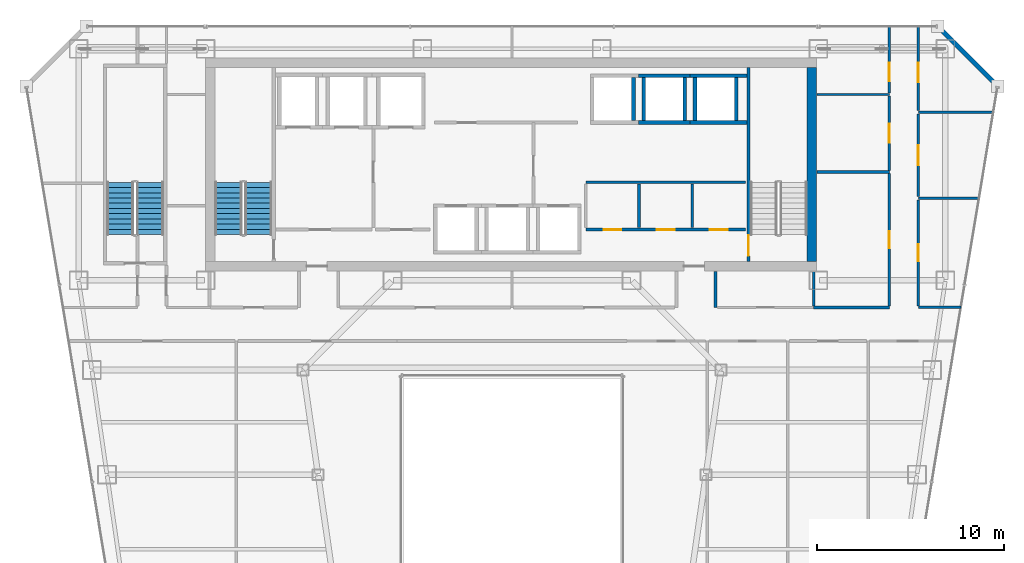
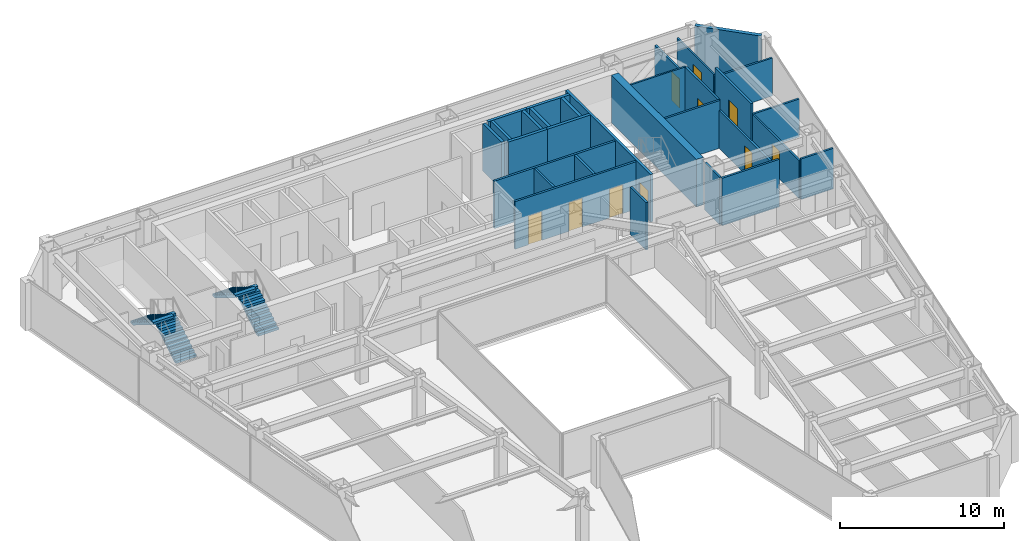
# One storey, part 33 of 37: 30 walls, 10 doors, 4 stair flights, 10 openings, 2 elements without a shape of their own.
"""IFC4 building model written with IfcOpenShell, lengths in metres."""

from ifc_helpers import new_model, si_unit, direction, frame, frame_2d, origin, place, context, subcontext, project, spatial, polyline, rectangle, outline, extrude, material, layer, layer_set, type_object, element, fill, aggregate, save


model = new_model("IFC4")

# Units and contexts
model_context = context("Model", 3, precision=1e-05, world=origin(), true_north=direction((0.0, 1.0)))
body_context = subcontext(model_context, "Body", "Model", "MODEL_VIEW")
ifc_project = project(units=[si_unit("LENGTHUNIT", "METRE"), si_unit("AREAUNIT", "SQUARE_METRE"), si_unit("VOLUMEUNIT", "CUBIC_METRE"), si_unit("PLANEANGLEUNIT", "RADIAN"), si_unit("MASSUNIT", "GRAM", prefix="KILO")], contexts=[model_context])

# Site, building, storey
site_placement = place(None, origin())
site = spatial("IfcSite", under=ifc_project, at=site_placement, CompositionType="ELEMENT")
building_placement = place(site_placement, origin())
building = spatial("IfcBuilding", under=site, at=building_placement, Name="Saevonmaru Cultural Tower", CompositionType="ELEMENT")
storey_placement = place(building_placement, frame((0.0, 0.0, 144.800048828125)))
storey = spatial("IfcBuildingStorey", under=building, at=storey_placement, Name="L31", CompositionType="ELEMENT", Elevation=144.800048828125)

# Wall
ifc_material_1 = material(Name="Concrete C60/75", Category="concrete")
ifc_layer_1 = layer(ifc_material_1, 0.5, Name="Concrete C60/75")
ifc_layer_set_1 = layer_set([ifc_layer_1], Name="Concrete C60/75")
wall_type_1 = type_object("IfcWallType", Name="WL-CORE-500", PredefinedType="SHEAR", material=ifc_layer_set_1)
wall_1_placement = place(storey_placement, frame((46.050048828125, 43.39990234375, 0.0), z_axis=(0.0, 0.0, 1.0), x_axis=(0.0, 1.0, 0.0)))
element("IfcWall", 1, at=wall_1_placement, inside=storey, type_object=wall_type_1, Name="L31 Tower RC core shear wall E", PredefinedType="SHEAR", context=body_context, shape_type="SweptSolid", body=[
    extrude(rectangle(XDim=10.400146484375, YDim=0.5, at=frame_2d((5.2001953125, 0.0))), origin(), (0.0, 0.0, 1.0), 3.550048828125),
])

# Wall, openings, doors
ifc_material_2 = material(Name="Gypsum Fireboard Partition", Category="gypsum")
ifc_layer_2 = layer(ifc_material_2, 0.14990234375, Name="Gypsum Fireboard Partition")
ifc_layer_set_2 = layer_set([ifc_layer_2], Name="Gypsum Fireboard Partition")
wall_type_2 = type_object("IfcWallType", Name="WL-CORE-PART-150", PredefinedType="PARTITIONING", material=ifc_layer_set_2)
wall_2_placement = place(storey_placement, frame((33.949951171875, 45.1201171875, 0.0), z_axis=(0.0, 0.0, 1.0), x_axis=(1.0, 0.0, 0.0)))
wall_2 = element("IfcWall", 2, at=wall_2_placement, inside=storey, type_object=wall_type_2, Name="L31 Core Utility South Wall", PredefinedType="PARTITIONING", context=body_context, shape_type="SweptSolid", body=[
    extrude(rectangle(XDim=8.550048828125, YDim=0.14990234375, at=frame_2d((4.27490234375, 0.0))), origin(), (0.0, 0.0, 1.0), 3.550048828125),
])
opening_1_placement = place(wall_2_placement, frame((0.949951171875, 0.0, 0.0)))
opening_1 = element("IfcOpeningElement", 3, at=opening_1_placement, cuts=wall_2, Name="Opening FD-4", PredefinedType="OPENING", context=body_context, shape_type="SweptSolid", body=[
    extrude(rectangle(XDim=0.949951171875, YDim=2.14990234375, at=frame_2d((0.47509765625, 1.074951171875))), frame((0.0, 0.0849609375, 0.0), z_axis=(0.0, -1.0, 0.0), x_axis=(1.0, 0.0, 0.0)), (0.0, 0.0, 1.0), 0.169921875),
])
opening_2_placement = place(wall_2_placement, frame((3.800048828125, 0.0, 0.0)))
opening_2 = element("IfcOpeningElement", 4, at=opening_2_placement, cuts=wall_2, Name="Opening FD-4", PredefinedType="OPENING", context=body_context, shape_type="SweptSolid", body=[
    extrude(rectangle(XDim=0.949951171875, YDim=2.14990234375, at=frame_2d((0.47509765625, 1.074951171875))), frame((0.0, 0.0849609375, 0.0), z_axis=(0.0, -1.0, 0.0), x_axis=(1.0, 0.0, 0.0)), (0.0, 0.0, 1.0), 0.169921875),
])
opening_3_placement = place(wall_2_placement, frame((6.64990234375, 0.0, 0.0)))
opening_3 = element("IfcOpeningElement", 5, at=opening_3_placement, cuts=wall_2, Name="Opening FD-4", PredefinedType="OPENING", context=body_context, shape_type="SweptSolid", body=[
    extrude(rectangle(XDim=0.949951171875, YDim=2.14990234375, at=frame_2d((0.47509765625, 1.074951171875))), frame((0.0, 0.0849609375, 0.0), z_axis=(0.0, -1.0, 0.0), x_axis=(1.0, 0.0, 0.0)), (0.0, 0.0, 1.0), 0.169921875),
])
ifc_material_3 = material(Name="Satin Bronze Anodised Aluminium", Category="aluminium")
door_type_1 = type_object("IfcDoorType", Name="DR-FD60-950", OperationType="SINGLE_SWING_LEFT", PredefinedType="DOOR", material=ifc_material_3)
door_1_placement = place(opening_1_placement, origin())
door_1 = element("IfcDoor", 6, at=door_1_placement, inside=storey, type_object=door_type_1, Name="L31 Meter Plant Door", OperationType="SINGLE_SWING_LEFT", OverallHeight=2.14990234375, OverallWidth=0.949951171875, PredefinedType="DOOR", context=body_context, shape_type="SweptSolid", body=[
    extrude(rectangle(XDim=0.949951171875, YDim=2.14990234375, at=frame_2d((0.47509765625, 1.074951171875))), frame((0.0, 0.02490234375, 0.0), z_axis=(0.0, -1.0, 0.0), x_axis=(1.0, 0.0, 0.0)), (0.0, 0.0, 1.0), 0.050048828125),
])
fill(opening_1, door_1)
door_2_placement = place(opening_2_placement, origin())
door_2 = element("IfcDoor", 7, at=door_2_placement, inside=storey, type_object=door_type_1, Name="L31 AV Rack Plant Door", OperationType="SINGLE_SWING_LEFT", OverallHeight=2.14990234375, OverallWidth=0.949951171875, PredefinedType="DOOR", context=body_context, shape_type="SweptSolid", body=[
    extrude(rectangle(XDim=0.949951171875, YDim=2.14990234375, at=frame_2d((0.47509765625, 1.074951171875))), frame((0.0, 0.02490234375, 0.0), z_axis=(0.0, -1.0, 0.0), x_axis=(1.0, 0.0, 0.0)), (0.0, 0.0, 1.0), 0.050048828125),
])
fill(opening_2, door_2)
door_3_placement = place(opening_3_placement, origin())
door_3 = element("IfcDoor", 8, at=door_3_placement, inside=storey, type_object=door_type_1, Name="L31 Archive Supply Storage Door", OperationType="SINGLE_SWING_LEFT", OverallHeight=2.14990234375, OverallWidth=0.949951171875, PredefinedType="DOOR", context=body_context, shape_type="SweptSolid", body=[
    extrude(rectangle(XDim=0.949951171875, YDim=2.14990234375, at=frame_2d((0.47509765625, 1.074951171875))), frame((0.0, 0.02490234375, 0.0), z_axis=(0.0, -1.0, 0.0), x_axis=(1.0, 0.0, 0.0)), (0.0, 0.0, 1.0), 0.050048828125),
])
fill(opening_3, door_3)

# Walls
wall_3_placement = place(storey_placement, frame((33.949951171875, 47.64990234375, 0.0), z_axis=(0.0, 0.0, 1.0), x_axis=(1.0, 0.0, 0.0)))
element("IfcWall", 9, at=wall_3_placement, inside=storey, type_object=wall_type_2, Name="L31 Core Utility North Wall", PredefinedType="PARTITIONING", context=body_context, shape_type="SweptSolid", body=[
    extrude(rectangle(XDim=8.550048828125, YDim=0.14990234375, at=frame_2d((4.27490234375, 0.0))), origin(), (0.0, 0.0, 1.0), 3.550048828125),
])
for number, where, z_axis, x_axis, name in (
    (10, (36.800048828125, 45.219970703125, 0.0), (0.0, 0.0, 1.0), (0.0, 1.0, 0.0), "L31 Utility Divider 1"),
    (11, (39.64990234375, 45.219970703125, 0.0), (0.0, 0.0, 1.0), (0.0, 1.0, 0.0), "L31 Utility Divider 2"),
):
    element("IfcWall", number, at=place(storey_placement, frame(where, z_axis=z_axis, x_axis=x_axis)), inside=storey, type_object=wall_type_2, Name=name, PredefinedType="PARTITIONING", context=body_context, shape_type="SweptSolid", body=[
        extrude(rectangle(XDim=2.330078125, YDim=0.14990234375, at=frame_2d((1.1650390625, 0.0))), origin(), (0.0, 0.0, 1.0), 3.550048828125),
    ])
ifc_material_4 = material(Name="Granite-Clad Precast Concrete C40/50", Category="masonry")
ifc_layer_3 = layer(ifc_material_4, 0.260009765625, Name="Granite-Clad Precast Concrete C40/50")
ifc_layer_set_3 = layer_set([ifc_layer_3], Name="Granite-Clad Precast Concrete C40/50")
wall_type_3 = type_object("IfcWallType", Name="WL-EXT-SPANDREL-260", PredefinedType="STANDARD", material=ifc_layer_set_3)
wall_4_placement = place(storey_placement, frame((55.886962890625, 52.9130859375, 0.0), z_axis=(0.0, 0.0, 1.0), x_axis=(-0.707106781187, 0.707106781187, 0.0)))
element("IfcWall", 12, at=wall_4_placement, inside=storey, type_object=wall_type_3, Name="L31 Chamfer Corner Spandrel Wall E9", PredefinedType="STANDARD", context=body_context, shape_type="SweptSolid", body=[
    extrude(rectangle(XDim=4.205810546875, YDim=0.260009765625, at=frame_2d((2.10302734375, 0.0))), origin(), (0.0, 0.0, 1.0), 3.550048828125),
])

# Wall, opening, door
ifc_layer_4 = layer(ifc_material_2, 0.14990234375, Name="Gypsum Fireboard Partition")
ifc_layer_set_4 = layer_set([ifc_layer_4], Name="Gypsum Fireboard Partition")
wall_type_4 = type_object("IfcWallType", Name="WL-PART-FIRE-150", PredefinedType="PARTITIONING", material=ifc_layer_set_4)
wall_5_placement = place(storey_placement, frame((50.199951171875, 48.2900390625, 0.0), z_axis=(0.0, 0.0, 1.0), x_axis=(0.0, 1.0, 0.0)))
wall_5 = element("IfcWall", 13, at=wall_5_placement, inside=storey, type_object=wall_type_4, Name="L31 Acoustic Chamber Auditorium Corridor Wall", PredefinedType="PARTITIONING", context=body_context, shape_type="SweptSolid", body=[
    extrude(rectangle(XDim=3.97998046875, YDim=0.14990234375, at=frame_2d((1.989990234375, 0.0))), origin(), (0.0, 0.0, 1.0), 3.550048828125),
])
opening_4_placement = place(wall_5_placement, frame((1.489990234375, 0.0, 0.0)))
opening_4 = element("IfcOpeningElement", 14, at=opening_4_placement, cuts=wall_5, Name="Opening ID-1B", PredefinedType="OPENING", context=body_context, shape_type="SweptSolid", body=[
    extrude(rectangle(XDim=1.0, YDim=2.14990234375, at=frame_2d((0.5, 1.074951171875))), frame((0.0, 0.0849609375, 0.0), z_axis=(0.0, -1.0, 0.0), x_axis=(1.0, 0.0, 0.0)), (0.0, 0.0, 1.0), 0.169921875),
])
ifc_material_5 = material(Name="Acoustic Stained Oak Timber", Category="wood")
door_type_2 = type_object("IfcDoorType", Name="DR-INT-1000", OperationType="SINGLE_SWING_RIGHT", PredefinedType="DOOR", material=ifc_material_5)
door_4_placement = place(opening_4_placement, origin())
door_4 = element("IfcDoor", 15, at=door_4_placement, inside=storey, type_object=door_type_2, Name="L31 Acoustic Chamber Auditorium Door", OperationType="SINGLE_SWING_LEFT", OverallHeight=2.14990234375, OverallWidth=1.0, PredefinedType="DOOR", context=body_context, shape_type="SweptSolid", body=[
    extrude(rectangle(XDim=1.0, YDim=2.14990234375, at=frame_2d((0.5, 1.074951171875))), frame((0.0, 0.02490234375, 0.0), z_axis=(0.0, -1.0, 0.0), x_axis=(1.0, 0.0, 0.0)), (0.0, 0.0, 1.0), 0.050048828125),
])
fill(opening_4, door_4)

wall_6_placement = place(storey_placement, frame((50.199951171875, 52.429931640625, 0.0), z_axis=(0.0, 0.0, 1.0), x_axis=(0.0, 1.0, 0.0)))
wall_6 = element("IfcWall", 16, at=wall_6_placement, inside=storey, type_object=wall_type_4, Name="L31 Sound Art Screening Auditorium Corridor Wall", PredefinedType="PARTITIONING", context=body_context, shape_type="SweptSolid", body=[
    extrude(rectangle(XDim=3.565185546875, YDim=0.14990234375, at=frame_2d((1.78271484375, 0.0))), origin(), (0.0, 0.0, 1.0), 2.93505859375),
])
opening_5_placement = place(wall_6_placement, frame((0.6220703125, 0.0, 0.0)))
opening_5 = element("IfcOpeningElement", 17, at=opening_5_placement, cuts=wall_6, Name="Opening ID-1B", PredefinedType="OPENING", context=body_context, shape_type="SweptSolid", body=[
    extrude(rectangle(XDim=1.0, YDim=2.14990234375, at=frame_2d((0.5, 1.074951171875))), frame((0.0, 0.0849609375, 0.0), z_axis=(0.0, -1.0, 0.0), x_axis=(1.0, 0.0, 0.0)), (0.0, 0.0, 1.0), 0.169921875),
])
door_5_placement = place(opening_5_placement, origin())
door_5 = element("IfcDoor", 18, at=door_5_placement, inside=storey, type_object=door_type_2, Name="L31 Sound Art Screening Auditorium Door", OperationType="SINGLE_SWING_RIGHT", OverallHeight=2.14990234375, OverallWidth=1.0, PredefinedType="DOOR", context=body_context, shape_type="SweptSolid", body=[
    extrude(rectangle(XDim=1.0, YDim=2.14990234375, at=frame_2d((0.5, 1.074951171875))), frame((0.0, 0.02490234375, 0.0), z_axis=(0.0, -1.0, 0.0), x_axis=(1.0, 0.0, 0.0)), (0.0, 0.0, 1.0), 0.050048828125),
])
fill(opening_5, door_5)

wall_7_placement = place(storey_placement, frame((51.75, 46.887451171875, 0.0), z_axis=(0.0, 0.0, 1.0), x_axis=(0.0, 1.0, 0.0)))
wall_7 = element("IfcWall", 19, at=wall_7_placement, inside=storey, type_object=wall_type_4, Name="L31 Sky Observatory Gallery Corridor Wall", PredefinedType="PARTITIONING", context=body_context, shape_type="SweptSolid", body=[
    extrude(rectangle(XDim=4.425048828125, YDim=0.14990234375, at=frame_2d((2.21240234375, 0.0))), origin(), (0.0, 0.0, 1.0), 3.550048828125),
])
opening_6_placement = place(wall_7_placement, frame((1.68701171875, 0.0, 0.0)))
opening_6 = element("IfcOpeningElement", 20, at=opening_6_placement, cuts=wall_7, Name="Opening ID-1", PredefinedType="OPENING", context=body_context, shape_type="SweptSolid", body=[
    extrude(rectangle(XDim=1.050048828125, YDim=2.14990234375, at=frame_2d((0.52490234375, 1.074951171875))), frame((0.0, 0.0849609375, 0.0), z_axis=(0.0, -1.0, 0.0), x_axis=(1.0, 0.0, 0.0)), (0.0, 0.0, 1.0), 0.169921875),
])
door_type_3 = type_object("IfcDoorType", Name="DR-INT-1050", OperationType="SINGLE_SWING_LEFT", PredefinedType="DOOR", material=ifc_material_3)
door_6_placement = place(opening_6_placement, origin())
door_6 = element("IfcDoor", 21, at=door_6_placement, inside=storey, type_object=door_type_3, Name="L31 Sky Observatory Gallery Door", OperationType="SINGLE_SWING_RIGHT", OverallHeight=2.14990234375, OverallWidth=1.050048828125, PredefinedType="DOOR", context=body_context, shape_type="SweptSolid", body=[
    extrude(rectangle(XDim=1.050048828125, YDim=2.14990234375, at=frame_2d((0.52490234375, 1.074951171875))), frame((0.0, 0.02490234375, 0.0), z_axis=(0.0, -1.0, 0.0), x_axis=(1.0, 0.0, 0.0)), (0.0, 0.0, 1.0), 0.050048828125),
])
fill(opening_6, door_6)

# Walls
wall_8_placement = place(storey_placement, frame((40.89990234375, 40.949951171875, 0.0), z_axis=(0.0, 0.0, 1.0), x_axis=(0.0, 1.0, 0.0)))
element("IfcWall", 22, at=wall_8_placement, inside=storey, type_object=wall_type_4, Name="L31 Core Portal Side Wall E2", PredefinedType="PARTITIONING", context=body_context, shape_type="SweptSolid", body=[
    extrude(rectangle(XDim=1.929931640625, YDim=0.14990234375, at=frame_2d((0.96484375, 0.0))), origin(), (0.0, 0.0, 1.0), 3.550048828125),
])
ifc_layer_5 = layer(ifc_material_2, 0.1201171875, Name="Gypsum Fireboard Partition")
ifc_layer_set_5 = layer_set([ifc_layer_5], Name="Gypsum Fireboard Partition")
wall_type_5 = type_object("IfcWallType", Name="WL-PART-GYP-120", PredefinedType="PARTITIONING", material=ifc_layer_set_5)
wall_9_placement = place(storey_placement, frame((46.320068359375, 52.35009765625, 0.0), z_axis=(0.0, 0.0, 1.0), x_axis=(1.0, 0.0, 0.0)))
element("IfcWall", 23, at=wall_9_placement, inside=storey, type_object=wall_type_5, Name="L31 North-East Panorama South Wall", PredefinedType="PARTITIONING", context=body_context, shape_type="SweptSolid", body=[
    extrude(rectangle(XDim=3.8798828125, YDim=0.1201171875, at=frame_2d((1.93994140625, 0.0))), origin(), (0.0, 0.0, 1.0), 3.550048828125),
])

# Wall, opening, door
wall_10_placement = place(storey_placement, frame((51.75, 41.03759765625, 0.0), z_axis=(0.0, 0.0, 1.0), x_axis=(0.0, 1.0, 0.0)))
wall_10 = element("IfcWall", 24, at=wall_10_placement, inside=storey, type_object=wall_type_5, Name="L31 Scholarly Colloquium Meeting Room Corridor Wall", PredefinedType="PARTITIONING", context=body_context, shape_type="SweptSolid", body=[
    extrude(rectangle(XDim=5.6748046875, YDim=0.1201171875, at=frame_2d((2.83740234375, 0.0))), origin(), (0.0, 0.0, 1.0), 2.8349609375),
])
opening_7_placement = place(wall_10_placement, frame((2.386962890625, 0.0, 0.0)))
opening_7 = element("IfcOpeningElement", 25, at=opening_7_placement, cuts=wall_10, Name="Opening ID-2", PredefinedType="OPENING", context=body_context, shape_type="SweptSolid", body=[
    extrude(rectangle(XDim=0.89990234375, YDim=2.10009765625, at=frame_2d((0.449951171875, 1.050048828125))), frame((0.0, 0.070068359375, 0.0), z_axis=(0.0, -1.0, 0.0), x_axis=(1.0, 0.0, 0.0)), (0.0, 0.0, 1.0), 0.14013671875),
])
door_type_4 = type_object("IfcDoorType", Name="DR-INT-900", OperationType="SINGLE_SWING_RIGHT", PredefinedType="DOOR", material=ifc_material_5)
door_7_placement = place(opening_7_placement, origin())
door_7 = element("IfcDoor", 26, at=door_7_placement, inside=storey, type_object=door_type_4, Name="L31 Scholarly Colloquium Meeting Room Door", OperationType="SINGLE_SWING_LEFT", OverallHeight=2.10009765625, OverallWidth=0.89990234375, PredefinedType="DOOR", context=body_context, shape_type="SweptSolid", body=[
    extrude(rectangle(XDim=0.89990234375, YDim=2.10009765625, at=frame_2d((0.449951171875, 1.050048828125))), frame((0.0, 0.02490234375, 0.0), z_axis=(0.0, -1.0, 0.0), x_axis=(1.0, 0.0, 0.0)), (0.0, 0.0, 1.0), 0.050048828125),
])
fill(opening_7, door_7)

wall_11_placement = place(storey_placement, frame((51.75, 51.487548828125, 0.0), z_axis=(0.0, 0.0, 1.0), x_axis=(0.0, 1.0, 0.0)))
wall_11 = element("IfcWall", 27, at=wall_11_placement, inside=storey, type_object=wall_type_5, Name="L31 Panorama Reading Room Corridor Wall", PredefinedType="PARTITIONING", context=body_context, shape_type="SweptSolid", body=[
    extrude(rectangle(XDim=4.507568359375, YDim=0.1201171875, at=frame_2d((2.25390625, 0.0))), origin(), (0.0, 0.0, 1.0), 2.93505859375),
])
opening_8_placement = place(wall_11_placement, frame((1.509033203125, 0.0, 0.0)))
opening_8 = element("IfcOpeningElement", 28, at=opening_8_placement, cuts=wall_11, Name="Opening ID-1", PredefinedType="OPENING", context=body_context, shape_type="SweptSolid", body=[
    extrude(rectangle(XDim=1.050048828125, YDim=2.14990234375, at=frame_2d((0.52490234375, 1.074951171875))), frame((0.0, 0.070068359375, 0.0), z_axis=(0.0, -1.0, 0.0), x_axis=(1.0, 0.0, 0.0)), (0.0, 0.0, 1.0), 0.14013671875),
])
door_8_placement = place(opening_8_placement, origin())
door_8 = element("IfcDoor", 29, at=door_8_placement, inside=storey, type_object=door_type_3, Name="L31 Panorama Reading Room Door", OperationType="SINGLE_SWING_LEFT", OverallHeight=2.14990234375, OverallWidth=1.050048828125, PredefinedType="DOOR", context=body_context, shape_type="SweptSolid", body=[
    extrude(rectangle(XDim=1.050048828125, YDim=2.14990234375, at=frame_2d((0.52490234375, 1.074951171875))), frame((0.0, 0.02490234375, 0.0), z_axis=(0.0, -1.0, 0.0), x_axis=(1.0, 0.0, 0.0)), (0.0, 0.0, 1.0), 0.050048828125),
])
fill(opening_8, door_8)

# Walls
ifc_layer_6 = layer(ifc_material_2, 0.135009765625, Name="Gypsum Fireboard Partition")
ifc_layer_set_6 = layer_set([ifc_layer_6], Name="Gypsum Fireboard Partition")
wall_type_6 = type_object("IfcWallType", Name="WL-PART-GYP-135", PredefinedType="PARTITIONING", material=ifc_layer_set_6)
wall_12_placement = place(storey_placement, frame((51.75, 40.949951171875, 0.0), z_axis=(0.0, 0.0, 1.0), x_axis=(1.0, 0.0, 0.0)))
element("IfcWall", 30, at=wall_12_placement, inside=storey, type_object=wall_type_6, Name="L31 NE Wing South Wall", PredefinedType="PARTITIONING", context=body_context, shape_type="SweptSolid", body=[
    extrude(rectangle(XDim=2.27490234375, YDim=0.135009765625, at=frame_2d((1.137451171875, 0.0))), origin(), (0.0, 0.0, 1.0), 3.034912109375),
])
wall_13_placement = place(storey_placement, frame((51.75, 46.800048828125, 0.0), z_axis=(0.0, 0.0, 1.0), x_axis=(1.0, 0.0, 0.0)))
element("IfcWall", 31, at=wall_13_placement, inside=storey, type_object=wall_type_6, Name="L31 NE Studio Divider 1", PredefinedType="PARTITIONING", context=body_context, shape_type="SweptSolid", body=[
    extrude(rectangle(XDim=3.247314453125, YDim=0.135009765625, at=frame_2d((1.62353515625, 0.0))), origin(), (0.0, 0.0, 1.0), 2.8349609375),
])
wall_14_placement = place(storey_placement, frame((51.75, 51.39990234375, 0.0), z_axis=(0.0, 0.0, 1.0), x_axis=(1.0, 0.0, 0.0)))
element("IfcWall", 32, at=wall_14_placement, inside=storey, type_object=wall_type_6, Name="L31 NE Studio Divider 2", PredefinedType="PARTITIONING", context=body_context, shape_type="SweptSolid", body=[
    extrude(rectangle(XDim=4.01220703125, YDim=0.135009765625, at=frame_2d((2.006103515625, 0.0))), origin(), (0.0, 0.0, 1.0), 2.8349609375),
])
ifc_layer_7 = layer(ifc_material_2, 0.139892578125, Name="Gypsum Fireboard Partition")
ifc_layer_set_7 = layer_set([ifc_layer_7], Name="Gypsum Fireboard Partition")
wall_type_7 = type_object("IfcWallType", Name="WL-PART-WET-140", PredefinedType="PARTITIONING", material=ifc_layer_set_7)
wall_15_placement = place(storey_placement, frame((46.14990234375, 40.949951171875, 0.0), z_axis=(0.0, 0.0, 1.0), x_axis=(1.0, 0.0, 0.0)))
element("IfcWall", 33, at=wall_15_placement, inside=storey, type_object=wall_type_7, Name="L31 Washroom South Wall", PredefinedType="PARTITIONING", context=body_context, shape_type="SweptSolid", body=[
    extrude(rectangle(XDim=4.050048828125, YDim=0.139892578125, at=frame_2d((2.02490234375, 0.0))), origin(), (0.0, 0.0, 1.0), 3.550048828125),
])
wall_16_placement = place(storey_placement, frame((46.14990234375, 41.0400390625, 0.0), z_axis=(0.0, 0.0, 1.0), x_axis=(0.0, 1.0, 0.0)))
element("IfcWall", 34, at=wall_16_placement, inside=storey, type_object=wall_type_7, Name="L31 Washroom South-West Return", PredefinedType="PARTITIONING", context=body_context, shape_type="SweptSolid", body=[
    extrude(rectangle(XDim=1.83984375, YDim=0.139892578125, at=frame_2d((0.919921875, 0.0))), origin(), (0.0, 0.0, 1.0), 3.550048828125),
])
wall_17_placement = place(storey_placement, frame((46.320068359375, 48.199951171875, 0.0), z_axis=(0.0, 0.0, 1.0), x_axis=(1.0, 0.0, 0.0)))
element("IfcWall", 35, at=wall_17_placement, inside=storey, type_object=wall_type_7, Name="L31 Washroom North Wall", PredefinedType="PARTITIONING", context=body_context, shape_type="SweptSolid", body=[
    extrude(rectangle(XDim=3.8798828125, YDim=0.139892578125, at=frame_2d((1.93994140625, 0.0))), origin(), (0.0, 0.0, 1.0), 3.550048828125),
])

# Wall, opening, door
wall_18_placement = place(storey_placement, frame((50.199951171875, 41.0400390625, 0.0), z_axis=(0.0, 0.0, 1.0), x_axis=(0.0, 1.0, 0.0)))
wall_18 = element("IfcWall", 36, at=wall_18_placement, inside=storey, type_object=wall_type_7, Name="L31 Washroom Corridor Wall", PredefinedType="PARTITIONING", context=body_context, shape_type="SweptSolid", body=[
    extrude(rectangle(XDim=7.070068359375, YDim=0.139892578125, at=frame_2d((3.53515625, 0.0))), origin(), (0.0, 0.0, 1.0), 2.8349609375),
])
opening_9_placement = place(wall_18_placement, frame((3.0849609375, 0.0, 0.0)))
opening_9 = element("IfcOpeningElement", 37, at=opening_9_placement, cuts=wall_18, Name="Opening ID-2", PredefinedType="OPENING", context=body_context, shape_type="SweptSolid", body=[
    extrude(rectangle(XDim=0.89990234375, YDim=2.10009765625, at=frame_2d((0.449951171875, 1.050048828125))), frame((0.0, 0.080078125, 0.0), z_axis=(0.0, -1.0, 0.0), x_axis=(1.0, 0.0, 0.0)), (0.0, 0.0, 1.0), 0.159912109375),
])
door_9_placement = place(opening_9_placement, origin())
door_9 = element("IfcDoor", 38, at=door_9_placement, inside=storey, type_object=door_type_4, Name="L31 Public Accessible Washrooms Door", OperationType="SINGLE_SWING_RIGHT", OverallHeight=2.10009765625, OverallWidth=0.89990234375, PredefinedType="DOOR", context=body_context, shape_type="SweptSolid", body=[
    extrude(rectangle(XDim=0.89990234375, YDim=2.10009765625, at=frame_2d((0.449951171875, 1.050048828125))), frame((0.0, 0.02490234375, 0.0), z_axis=(0.0, -1.0, 0.0), x_axis=(1.0, 0.0, 0.0)), (0.0, 0.0, 1.0), 0.050048828125),
])
fill(opening_9, door_9)

# Walls
ifc_material_6 = material(Name="Concrete C40/50", Category="concrete")
ifc_layer_8 = layer(ifc_material_6, 0.199951171875, Name="Concrete C40/50")
ifc_layer_set_8 = layer_set([ifc_layer_8], Name="Concrete C40/50")
wall_type_8 = type_object("IfcWallType", Name="WL-SHAFT-200", PredefinedType="SHEAR", material=ifc_layer_set_8)
wall_19_placement = place(storey_placement, frame((36.5, 50.949951171875, 0.0), z_axis=(0.0, 0.0, 1.0), x_axis=(0.0, 1.0, 0.0)))
element("IfcWall", 39, at=wall_19_placement, inside=storey, type_object=wall_type_8, Name="L31 Lift PL-H1 Hoistway Wall E", PredefinedType="SHEAR", context=body_context, shape_type="SweptSolid", body=[
    extrude(rectangle(XDim=2.300048828125, YDim=0.199951171875, at=frame_2d((1.14990234375, 0.0))), origin(), (0.0, 0.0, 1.0), 3.550048828125),
])
for number, where, z_axis, x_axis, name in (
    (40, (36.77490234375, 50.85009765625, 0.0), (0.0, 0.0, 1.0), (1.0, 0.0, 0.0), "L31 Lift PL-H2 Hoistway Wall S"),
    (41, (36.77490234375, 53.35009765625, 0.0), (0.0, 0.0, 1.0), (1.0, 0.0, 0.0), "L31 Lift PL-H2 Hoistway Wall N"),
):
    element("IfcWall", number, at=place(storey_placement, frame(where, z_axis=z_axis, x_axis=x_axis)), inside=storey, type_object=wall_type_8, Name=name, PredefinedType="SHEAR", context=body_context, shape_type="SweptSolid", body=[
        extrude(rectangle(XDim=2.75, YDim=0.199951171875, at=frame_2d((1.375, 0.0))), origin(), (0.0, 0.0, 1.0), 3.550048828125),
    ])
for number, where, z_axis, x_axis, name in (
    (42, (37.050048828125, 50.949951171875, 0.0), (0.0, 0.0, 1.0), (0.0, 1.0, 0.0), "L31 Lift PL-H2 Hoistway Wall W"),
    (43, (39.25, 50.949951171875, 0.0), (0.0, 0.0, 1.0), (0.0, 1.0, 0.0), "L31 Lift PL-H2 Hoistway Wall E"),
):
    element("IfcWall", number, at=place(storey_placement, frame(where, z_axis=z_axis, x_axis=x_axis)), inside=storey, type_object=wall_type_8, Name=name, PredefinedType="SHEAR", context=body_context, shape_type="SweptSolid", body=[
        extrude(rectangle(XDim=2.300048828125, YDim=0.199951171875, at=frame_2d((1.14990234375, 0.0))), origin(), (0.0, 0.0, 1.0), 3.550048828125),
    ])
for number, where, z_axis, x_axis, name in (
    (44, (39.52490234375, 50.85009765625, 0.0), (0.0, 0.0, 1.0), (1.0, 0.0, 0.0), "L31 Lift PL-H3 Hoistway Wall S"),
    (45, (39.52490234375, 53.35009765625, 0.0), (0.0, 0.0, 1.0), (1.0, 0.0, 0.0), "L31 Lift PL-H3 Hoistway Wall N"),
):
    element("IfcWall", number, at=place(storey_placement, frame(where, z_axis=z_axis, x_axis=x_axis)), inside=storey, type_object=wall_type_8, Name=name, PredefinedType="SHEAR", context=body_context, shape_type="SweptSolid", body=[
        extrude(rectangle(XDim=3.045166015625, YDim=0.199951171875, at=frame_2d((1.5224609375, 0.0))), origin(), (0.0, 0.0, 1.0), 3.550048828125),
    ])
for number, where, z_axis, x_axis, name in (
    (46, (39.800048828125, 50.949951171875, 0.0), (0.0, 0.0, 1.0), (0.0, 1.0, 0.0), "L31 Lift PL-H3 Hoistway Wall W"),
    (47, (42.0, 50.949951171875, 0.0), (0.0, 0.0, 1.0), (0.0, 1.0, 0.0), "L31 Lift PL-H3 Hoistway Wall E"),
):
    element("IfcWall", number, at=place(storey_placement, frame(where, z_axis=z_axis, x_axis=x_axis)), inside=storey, type_object=wall_type_8, Name=name, PredefinedType="SHEAR", context=body_context, shape_type="SweptSolid", body=[
        extrude(rectangle(XDim=2.300048828125, YDim=0.199951171875, at=frame_2d((1.14990234375, 0.0))), origin(), (0.0, 0.0, 1.0), 3.550048828125),
    ])

# Wall, opening, door
ifc_layer_9 = layer(ifc_material_6, 0.179931640625, Name="Concrete C40/50")
ifc_layer_set_9 = layer_set([ifc_layer_9], Name="Concrete C40/50")
wall_type_9 = type_object("IfcWallType", Name="WL-STSHAFT-180", PredefinedType="SHEAR", material=ifc_layer_set_9)
wall_20_placement = place(storey_placement, frame((42.659912109375, 53.800048828125, 0.0), z_axis=(0.0, 0.0, 1.0), x_axis=(0.0, -1.0, 0.0)))
wall_20 = element("IfcWall", 48, at=wall_20_placement, inside=storey, type_object=wall_type_9, Name="L31 Stair ST-2 Structural Shaft Wall 1", PredefinedType="SHEAR", context=body_context, shape_type="SweptSolid", body=[
    extrude(rectangle(XDim=10.400146484375, YDim=0.179931640625, at=frame_2d((5.2001953125, 0.0))), origin(), (0.0, 0.0, 1.0), 3.550048828125),
])
opening_10_placement = place(wall_20_placement, frame((8.989990234375, 0.0, 0.0)))
opening_10 = element("IfcOpeningElement", 49, at=opening_10_placement, cuts=wall_20, Name="Opening FD-2", PredefinedType="OPENING", context=body_context, shape_type="SweptSolid", body=[
    extrude(rectangle(XDim=1.10009765625, YDim=2.14990234375, at=frame_2d((0.550048828125, 1.074951171875))), frame((0.0, 0.10009765625, 0.0), z_axis=(0.0, -1.0, 0.0), x_axis=(1.0, 0.0, 0.0)), (0.0, 0.0, 1.0), 0.199951171875),
])
door_type_5 = type_object("IfcDoorType", Name="DR-FD60-1100", OperationType="SINGLE_SWING_LEFT", PredefinedType="DOOR", material=ifc_material_3)
door_10_placement = place(opening_10_placement, origin())
door_10 = element("IfcDoor", 50, at=door_10_placement, inside=storey, type_object=door_type_5, Name="L31 Protected Stair ST-2 Fire Door", OperationType="SINGLE_SWING_LEFT", OverallHeight=2.14990234375, OverallWidth=1.10009765625, PredefinedType="DOOR", context=body_context, shape_type="SweptSolid", body=[
    extrude(rectangle(XDim=1.10009765625, YDim=2.14990234375, at=frame_2d((0.550048828125, 1.074951171875))), frame((0.0, 0.02490234375, 0.0), z_axis=(0.0, -1.0, 0.0), x_axis=(1.0, 0.0, 0.0)), (0.0, 0.0, 1.0), 0.050048828125),
])
fill(opening_10, door_10)

# Stair, stair flights
stair_type = type_object("IfcStairType", Name="STR-DOGLEG-RC", PredefinedType="HALF_TURN_STAIR", material=ifc_material_6)
stair_1_placement = place(storey_placement, origin())
stair_1 = element("IfcStair", 51, at=stair_1_placement, inside=storey, type_object=stair_type, Name="L31 Protected exit stair ST-1", PredefinedType="HALF_TURN_STAIR")
ifc_material_7 = material(Name="Precast concrete C40/50", Category="concrete")
stair_flight_type = type_object("IfcStairFlightType", Name="STF-PRECAST-180", PredefinedType="STRAIGHT", material=ifc_material_7)
stair_flight_1_placement = place(storey_placement, frame((16.425048828125, 44.85009765625, 0.0), z_axis=(0.0, 0.0, 1.0), x_axis=(0.0, 1.0, 0.0)))
stair_flight_1 = element("IfcStairFlight", 52, at=stair_flight_1_placement, type_object=stair_flight_type, Name="ST-1-L31 flight 1", NumberOfRisers=11, NumberOfTreads=10, PredefinedType="STRAIGHT", RiserHeight=0.172727273, TreadLength=0.28, context=body_context, shape_type="SweptSolid", body=[
    extrude(outline(polyline([(0.0, 0.0), (0.0, 0.172607421875), (0.280029296875, 0.172607421875), (0.280029296875, 0.345458984375), (0.56005859375, 0.345458984375), (0.56005859375, 0.51806640625), (0.840087890625, 0.51806640625), (0.840087890625, 0.69091796875), (1.1201171875, 0.69091796875), (1.1201171875, 0.863525390625), (1.39990234375, 0.863525390625), (1.39990234375, 1.036376953125), (1.679931640625, 1.036376953125), (1.679931640625, 1.208984375), (1.9599609375, 1.208984375), (1.9599609375, 1.3818359375), (2.239990234375, 1.3818359375), (2.239990234375, 1.554443359375), (2.52001953125, 1.554443359375), (2.52001953125, 1.727294921875), (2.800048828125, 1.727294921875), (2.800048828125, 1.89990234375), (2.800048828125, 1.551025390625), (0.285400390625, 0.0), (0.0, 0.0)])), frame((0.0, 0.72509765625, 0.0), z_axis=(0.0, -1.0, 0.0), x_axis=(1.0, 0.0, 0.0)), (0.0, 0.0, 1.0), 1.449951171875),
])
stair_flight_2_placement = place(storey_placement, frame((14.824951171875, 47.64990234375, 1.89990234375), z_axis=(0.0, 0.0, 1.0), x_axis=(0.0, -1.0, 0.0)))
stair_flight_2 = element("IfcStairFlight", 53, at=stair_flight_2_placement, type_object=stair_flight_type, Name="ST-1-L31 flight 2", NumberOfRisers=11, NumberOfTreads=10, PredefinedType="STRAIGHT", RiserHeight=0.172727273, TreadLength=0.28, context=body_context, shape_type="SweptSolid", body=[
    extrude(outline(polyline([(0.0, 0.0), (0.0, 0.172607421875), (0.280029296875, 0.172607421875), (0.280029296875, 0.345458984375), (0.56005859375, 0.345458984375), (0.56005859375, 0.51806640625), (0.840087890625, 0.51806640625), (0.840087890625, 0.69091796875), (1.1201171875, 0.69091796875), (1.1201171875, 0.863525390625), (1.39990234375, 0.863525390625), (1.39990234375, 1.036376953125), (1.679931640625, 1.036376953125), (1.679931640625, 1.208984375), (1.9599609375, 1.208984375), (1.9599609375, 1.3818359375), (2.239990234375, 1.3818359375), (2.239990234375, 1.554443359375), (2.52001953125, 1.554443359375), (2.52001953125, 1.727294921875), (2.800048828125, 1.727294921875), (2.800048828125, 1.89990234375), (2.800048828125, 1.551025390625), (0.285400390625, 0.0), (0.0, 0.0)])), frame((0.0, 0.72509765625, 0.0), z_axis=(0.0, -1.0, 0.0), x_axis=(1.0, 0.0, 0.0)), (0.0, 0.0, 1.0), 1.449951171875),
])
aggregate(stair_1, [stair_flight_1, stair_flight_2])

stair_2_placement = place(storey_placement, origin())
stair_2 = element("IfcStair", 54, at=stair_2_placement, inside=storey, type_object=stair_type, Name="L31 Protected exit stair ST-3", PredefinedType="HALF_TURN_STAIR")
stair_flight_3_placement = place(storey_placement, frame((10.625, 44.85009765625, 0.0), z_axis=(0.0, 0.0, 1.0), x_axis=(0.0, 1.0, 0.0)))
stair_flight_3 = element("IfcStairFlight", 55, at=stair_flight_3_placement, type_object=stair_flight_type, Name="ST-3-L31 flight 1", NumberOfRisers=11, NumberOfTreads=10, PredefinedType="STRAIGHT", RiserHeight=0.172727273, TreadLength=0.28, context=body_context, shape_type="SweptSolid", body=[
    extrude(outline(polyline([(0.0, 0.0), (0.0, 0.172607421875), (0.280029296875, 0.172607421875), (0.280029296875, 0.345458984375), (0.56005859375, 0.345458984375), (0.56005859375, 0.51806640625), (0.840087890625, 0.51806640625), (0.840087890625, 0.69091796875), (1.1201171875, 0.69091796875), (1.1201171875, 0.863525390625), (1.39990234375, 0.863525390625), (1.39990234375, 1.036376953125), (1.679931640625, 1.036376953125), (1.679931640625, 1.208984375), (1.9599609375, 1.208984375), (1.9599609375, 1.3818359375), (2.239990234375, 1.3818359375), (2.239990234375, 1.554443359375), (2.52001953125, 1.554443359375), (2.52001953125, 1.727294921875), (2.800048828125, 1.727294921875), (2.800048828125, 1.89990234375), (2.800048828125, 1.551025390625), (0.285400390625, 0.0), (0.0, 0.0)])), frame((0.0, 0.72509765625, 0.0), z_axis=(0.0, -1.0, 0.0), x_axis=(1.0, 0.0, 0.0)), (0.0, 0.0, 1.0), 1.449951171875),
])
stair_flight_4_placement = place(storey_placement, frame((9.02490234375, 47.64990234375, 1.89990234375), z_axis=(0.0, 0.0, 1.0), x_axis=(0.0, -1.0, 0.0)))
stair_flight_4 = element("IfcStairFlight", 56, at=stair_flight_4_placement, type_object=stair_flight_type, Name="ST-3-L31 flight 2", NumberOfRisers=11, NumberOfTreads=10, PredefinedType="STRAIGHT", RiserHeight=0.172727273, TreadLength=0.28, context=body_context, shape_type="SweptSolid", body=[
    extrude(outline(polyline([(0.0, 0.0), (0.0, 0.172607421875), (0.280029296875, 0.172607421875), (0.280029296875, 0.345458984375), (0.56005859375, 0.345458984375), (0.56005859375, 0.51806640625), (0.840087890625, 0.51806640625), (0.840087890625, 0.69091796875), (1.1201171875, 0.69091796875), (1.1201171875, 0.863525390625), (1.39990234375, 0.863525390625), (1.39990234375, 1.036376953125), (1.679931640625, 1.036376953125), (1.679931640625, 1.208984375), (1.9599609375, 1.208984375), (1.9599609375, 1.3818359375), (2.239990234375, 1.3818359375), (2.239990234375, 1.554443359375), (2.52001953125, 1.554443359375), (2.52001953125, 1.727294921875), (2.800048828125, 1.727294921875), (2.800048828125, 1.89990234375), (2.800048828125, 1.551025390625), (0.285400390625, 0.0), (0.0, 0.0)])), frame((0.0, 0.72509765625, 0.0), z_axis=(0.0, -1.0, 0.0), x_axis=(1.0, 0.0, 0.0)), (0.0, 0.0, 1.0), 1.449951171875),
])
aggregate(stair_2, [stair_flight_3, stair_flight_4])

save(model, "model.ifc")
